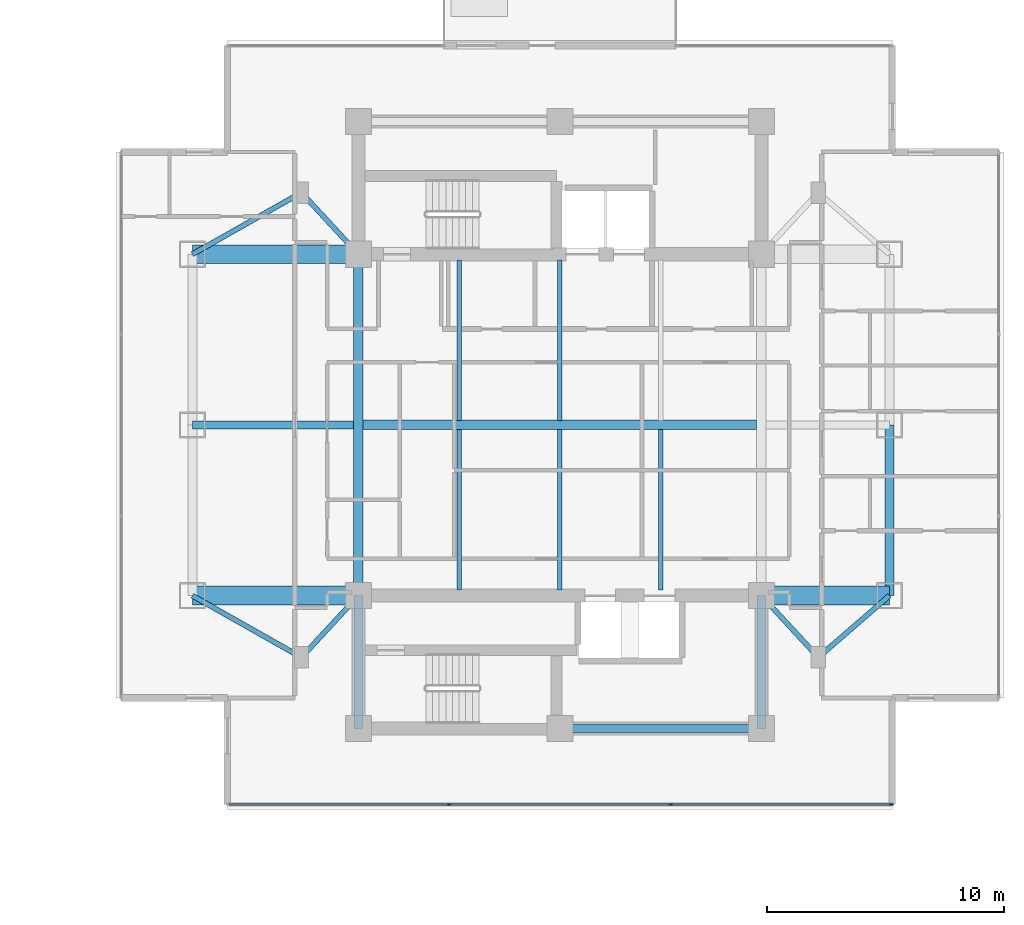
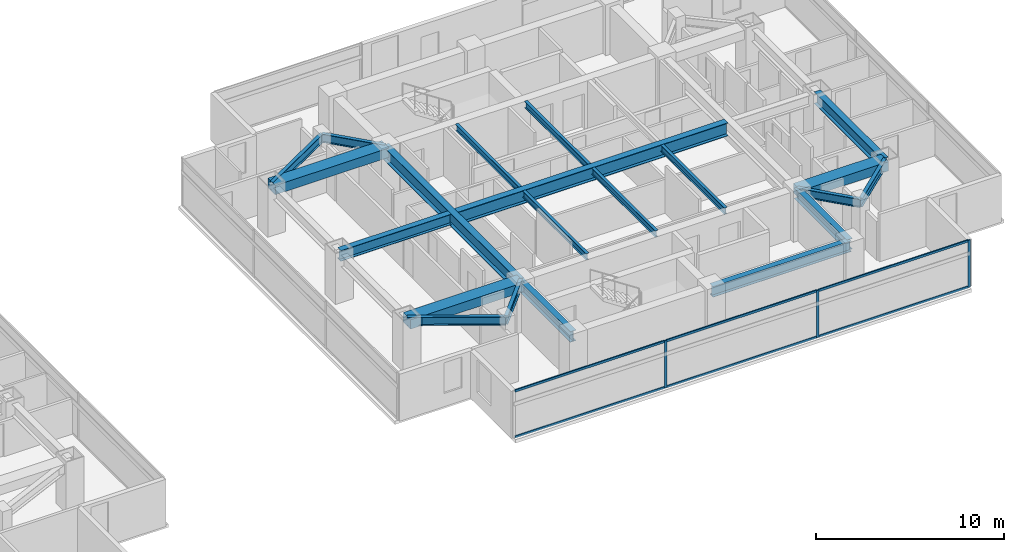
# One storey, part 9 of 24: 21 beams, 9 members, 1 element without a shape of its own.
"""IFC4 building model written with IfcOpenShell, lengths in metres."""

from ifc_helpers import new_model, si_unit, direction, frame, origin, origin_2d, place, context, subcontext, project, spatial, rectangle, i_section, extrude, material, material_profile, profile_set, type_object, element, aggregate, save


model = new_model("IFC4")

# Units and contexts
model_context = context("Model", 3, precision=1e-05, world=origin(), true_north=direction((0.0, 1.0)))
body_context = subcontext(model_context, "Body", "Model", "MODEL_VIEW")
ifc_project = project(units=[si_unit("LENGTHUNIT", "METRE"), si_unit("AREAUNIT", "SQUARE_METRE"), si_unit("VOLUMEUNIT", "CUBIC_METRE"), si_unit("PLANEANGLEUNIT", "RADIAN"), si_unit("MASSUNIT", "GRAM", prefix="KILO")], contexts=[model_context])

# Site, building, storey
site_placement = place(None, origin())
site = spatial("IfcSite", under=ifc_project, at=site_placement, CompositionType="ELEMENT")
building_placement = place(site_placement, origin())
building = spatial("IfcBuilding", under=site, at=building_placement, Name="Mirazonda Arch Towers", CompositionType="ELEMENT")
storey_placement = place(building_placement, frame((0.0, 0.0, 141.199951171875)))
storey = spatial("IfcBuildingStorey", under=building, at=storey_placement, Name="L40", CompositionType="ELEMENT", Elevation=141.199951171875)

# Beams
ifc_material_1 = material(Name="Steel ASTM A992 Grade 50", Category="steel")
ifc_material_profile_1 = material_profile(ifc_material_1, i_section(OverallWidth=0.381103515625, OverallDepth=0.77294921875, WebThickness=0.0166015625, FlangeThickness=0.027099609375, at=origin_2d()), Name="W30X173")
ifc_profile_set_1 = profile_set([ifc_material_profile_1], Name="Steel ASTM A992 Grade 50")
beam_type_1 = type_object("IfcBeamType", Name="BM-EXT-W30X173", PredefinedType="USERDEFINED", material=ifc_profile_set_1)
beam_1_placement = place(storey_placement, frame((90.39990234375, 20.800048828125, 2.693603515625), z_axis=(0.0, 1.0, 0.0), x_axis=(-1.0, 0.0, 0.0)))
element("IfcBeam", 1, at=beam_1_placement, inside=storey, type_object=beam_type_1, Name="L40 Floor Beam BM-T2-L40-NS-E-20", ObjectType="GIRDER", PredefinedType="USERDEFINED", context=body_context, shape_type="SweptSolid", body=[
    extrude(i_section(OverallWidth=0.381103515625, OverallDepth=0.77294921875, WebThickness=0.0166015625, FlangeThickness=0.027099609375, at=origin_2d()), origin(), (0.0, 0.0, 1.0), 7.199951171875),
])
ifc_material_profile_2 = material_profile(ifc_material_1, i_section(OverallWidth=0.180908203125, OverallDepth=0.4169921875, WebThickness=0.010986328125, FlangeThickness=0.018310546875, at=origin_2d()), Name="W16X57")
ifc_profile_set_2 = profile_set([ifc_material_profile_2], Name="Steel ASTM A992 Grade 50")
beam_type_2 = type_object("IfcBeamType", Name="BM-INT-W16X57", PredefinedType="JOIST", material=ifc_profile_set_2)
for number, where, z_axis, x_axis, name in (
    (2, (72.25, 21.0400390625, 2.87158203125), (0.0, 1.0, 0.0), (-1.0, 0.0, 0.0), "L40 Floor Beam BM-T2-L40-J-722-20"),
    (3, (72.25, 28.196044921875, 2.87158203125), (0.0, 1.0, 0.0), (-1.0, 0.0, 0.0), "L40 Floor Beam BM-T2-L40-J-722-28"),
    (4, (76.5, 21.0400390625, 2.87158203125), (0.0, 1.0, 0.0), (-1.0, 0.0, 0.0), "L40 Floor Beam BM-T2-L40-J-765-20"),
    (5, (76.5, 28.196044921875, 2.87158203125), (0.0, 1.0, 0.0), (-1.0, 0.0, 0.0), "L40 Floor Beam BM-T2-L40-J-765-28"),
    (6, (80.75, 21.0400390625, 2.87158203125), (0.0, 1.0, 0.0), (-1.0, 0.0, 0.0), "L40 Floor Beam BM-T2-L40-J-807-20"),
):
    element("IfcBeam", number, at=place(storey_placement, frame(where, z_axis=z_axis, x_axis=x_axis)), inside=storey, type_object=beam_type_2, Name=name, PredefinedType="JOIST", context=body_context, shape_type="SweptSolid", body=[
        extrude(i_section(OverallWidth=0.180908203125, OverallDepth=0.4169921875, WebThickness=0.010986328125, FlangeThickness=0.018310546875, at=origin_2d()), origin(), (0.0, 0.0, 1.0), 6.763916015625),
    ])
ifc_material_profile_3 = material_profile(ifc_material_1, i_section(OverallWidth=0.214111328125, OverallDepth=0.549072265625, WebThickness=0.0146484375, FlangeThickness=0.023681640625, at=origin_2d()), Name="W21X93")
ifc_profile_set_3 = profile_set([ifc_material_profile_3], Name="Steel ASTM A992 Grade 50")
beam_type_3 = type_object("IfcBeamType", Name="BM-INT-W21X93", PredefinedType="BEAM", material=ifc_profile_set_3)
beam_2_placement = place(storey_placement, frame((65.60009765625, 18.199951171875, 2.8056640625), z_axis=(0.678251444854, 0.734829897019, 0.0), x_axis=(-0.734829897019, 0.678251444854, 0.0)))
element("IfcBeam", 7, at=beam_2_placement, inside=storey, type_object=beam_type_3, Name="L40 Floor Beam BM-T2-L40-PL-SW1", PredefinedType="BEAM", context=body_context, shape_type="SweptSolid", body=[
    extrude(i_section(OverallWidth=0.214111328125, OverallDepth=0.549072265625, WebThickness=0.0146484375, FlangeThickness=0.023681640625, at=origin_2d()), origin(), (0.0, 0.0, 1.0), 3.538330078125),
])
beam_3_placement = place(storey_placement, frame((65.60009765625, 18.199951171875, 2.8056640625), z_axis=(-0.870559396632, 0.492063346467, 0.0), x_axis=(-0.492063346467, -0.870559396632, 0.0)))
element("IfcBeam", 8, at=beam_3_placement, inside=storey, type_object=beam_type_3, Name="L40 Floor Beam BM-T2-L40-PL-SW2", PredefinedType="BEAM", context=body_context, shape_type="SweptSolid", body=[
    extrude(i_section(OverallWidth=0.214111328125, OverallDepth=0.549072265625, WebThickness=0.0146484375, FlangeThickness=0.023681640625, at=origin_2d()), origin(), (0.0, 0.0, 1.0), 5.2841796875),
])
beam_4_placement = place(storey_placement, frame((87.39990234375, 18.199951171875, 2.8056640625), z_axis=(-0.678251444854, 0.734829897019, 0.0), x_axis=(-0.734829897019, -0.678251444854, 0.0)))
element("IfcBeam", 9, at=beam_4_placement, inside=storey, type_object=beam_type_3, Name="L40 Floor Beam BM-T2-L40-PL-SE1", PredefinedType="BEAM", context=body_context, shape_type="SweptSolid", body=[
    extrude(i_section(OverallWidth=0.214111328125, OverallDepth=0.549072265625, WebThickness=0.0146484375, FlangeThickness=0.023681640625, at=origin_2d()), origin(), (0.0, 0.0, 1.0), 3.538330078125),
])
beam_5_placement = place(storey_placement, frame((87.39990234375, 18.199951171875, 2.8056640625), z_axis=(0.755676908098, 0.654944585876, 0.0), x_axis=(-0.654944585876, 0.755676908098, 0.0)))
element("IfcBeam", 10, at=beam_5_placement, inside=storey, type_object=beam_type_3, Name="L40 Floor Beam BM-T2-L40-PL-SE2", PredefinedType="BEAM", context=body_context, shape_type="SweptSolid", body=[
    extrude(i_section(OverallWidth=0.214111328125, OverallDepth=0.549072265625, WebThickness=0.0146484375, FlangeThickness=0.023681640625, at=origin_2d()), origin(), (0.0, 0.0, 1.0), 3.969970703125),
])
beam_6_placement = place(storey_placement, frame((65.60009765625, 37.800048828125, 2.8056640625), z_axis=(0.678251444854, -0.734829897019, 0.0), x_axis=(0.734829897019, 0.678251444854, 0.0)))
element("IfcBeam", 11, at=beam_6_placement, inside=storey, type_object=beam_type_3, Name="L40 Floor Beam BM-T2-L40-PL-NW1", PredefinedType="BEAM", context=body_context, shape_type="SweptSolid", body=[
    extrude(i_section(OverallWidth=0.214111328125, OverallDepth=0.549072265625, WebThickness=0.0146484375, FlangeThickness=0.023681640625, at=origin_2d()), origin(), (0.0, 0.0, 1.0), 3.538330078125),
])
beam_7_placement = place(storey_placement, frame((65.60009765625, 37.800048828125, 2.8056640625), z_axis=(-0.870559396632, -0.492063346467, 0.0), x_axis=(0.492063346467, -0.870559396632, 0.0)))
element("IfcBeam", 12, at=beam_7_placement, inside=storey, type_object=beam_type_3, Name="L40 Floor Beam BM-T2-L40-PL-NW2", PredefinedType="BEAM", context=body_context, shape_type="SweptSolid", body=[
    extrude(i_section(OverallWidth=0.214111328125, OverallDepth=0.549072265625, WebThickness=0.0146484375, FlangeThickness=0.023681640625, at=origin_2d()), origin(), (0.0, 0.0, 1.0), 5.2841796875),
])
ifc_material_profile_4 = material_profile(ifc_material_1, i_section(OverallWidth=0.35498046875, OverallDepth=0.696044921875, WebThickness=0.015380859375, FlangeThickness=0.02490234375, at=origin_2d()), Name="W27X146")
ifc_profile_set_4 = profile_set([ifc_material_profile_4], Name="Steel ASTM A992 Grade 50")
beam_type_4 = type_object("IfcBeamType", Name="BM-INT-W27X146", PredefinedType="BEAM", material=ifc_profile_set_4)
beam_8_placement = place(storey_placement, frame((76.5, 15.199951171875, 2.73193359375), z_axis=(1.0, 0.0, 0.0), x_axis=(0.0, 1.0, 0.0)))
element("IfcBeam", 13, at=beam_8_placement, inside=storey, type_object=beam_type_4, Name="L40 Floor Beam BM-T2-L40-CS2", PredefinedType="BEAM", context=body_context, shape_type="SweptSolid", body=[
    extrude(i_section(OverallWidth=0.35498046875, OverallDepth=0.696044921875, WebThickness=0.015380859375, FlangeThickness=0.02490234375, at=origin_2d()), origin(), (0.0, 0.0, 1.0), 8.5),
])
for number, where, z_axis, x_axis, name in (
    (14, (68.0, 15.199951171875, 2.73193359375), (0.0, 1.0, 0.0), (-1.0, 0.0, 0.0), "L40 Floor Beam BM-T2-L40-CSW"),
    (15, (85.0, 15.199951171875, 2.73193359375), (0.0, 1.0, 0.0), (-1.0, 0.0, 0.0), "L40 Floor Beam BM-T2-L40-CSE"),
):
    element("IfcBeam", number, at=place(storey_placement, frame(where, z_axis=z_axis, x_axis=x_axis)), inside=storey, type_object=beam_type_4, Name=name, PredefinedType="BEAM", context=body_context, shape_type="SweptSolid", body=[
        extrude(i_section(OverallWidth=0.35498046875, OverallDepth=0.696044921875, WebThickness=0.015380859375, FlangeThickness=0.02490234375, at=origin_2d()), origin(), (0.0, 0.0, 1.0), 5.60009765625),
    ])
beam_9_placement = place(storey_placement, frame((61.0, 28.0, 2.73193359375), z_axis=(1.0, 0.0, 0.0), x_axis=(0.0, 1.0, 0.0)))
element("IfcBeam", 16, at=beam_9_placement, inside=storey, type_object=beam_type_4, Name="L40 Floor Beam BM-T2-L40-GW2", PredefinedType="BEAM", context=body_context, shape_type="SweptSolid", body=[
    extrude(i_section(OverallWidth=0.35498046875, OverallDepth=0.696044921875, WebThickness=0.015380859375, FlangeThickness=0.02490234375, at=origin_2d()), origin(), (0.0, 0.0, 1.0), 6.800048828125),
])
ifc_material_profile_5 = material_profile(ifc_material_1, i_section(OverallWidth=0.39990234375, OverallDepth=0.85595703125, WebThickness=0.018310546875, FlangeThickness=0.029296875, at=origin_2d()), Name="W33X201")
ifc_profile_set_5 = profile_set([ifc_material_profile_5], Name="Steel ASTM A992 Grade 50")
beam_type_5 = type_object("IfcBeamType", Name="BM-INT-W33X201", PredefinedType="USERDEFINED", material=ifc_profile_set_5)
beam_10_placement = place(storey_placement, frame((68.199951171875, 28.0, 2.652099609375), z_axis=(1.0, 0.0, 0.0), x_axis=(0.0, 1.0, 0.0)))
element("IfcBeam", 17, at=beam_10_placement, inside=storey, type_object=beam_type_5, Name="L40 Floor Beam BM-T2-L40-GC2", ObjectType="GIRDER", PredefinedType="USERDEFINED", context=body_context, shape_type="SweptSolid", body=[
    extrude(i_section(OverallWidth=0.39990234375, OverallDepth=0.85595703125, WebThickness=0.018310546875, FlangeThickness=0.029296875, at=origin_2d()), origin(), (0.0, 0.0, 1.0), 16.60009765625),
])
beam_11_placement = place(storey_placement, frame((68.0, 20.800048828125, 2.652099609375), z_axis=(0.0, 1.0, 0.0), x_axis=(-1.0, 0.0, 0.0)))
element("IfcBeam", 18, at=beam_11_placement, inside=storey, type_object=beam_type_5, Name="L40 Floor Beam BM-T2-L40-NS-CW-FULL", ObjectType="GIRDER", PredefinedType="USERDEFINED", context=body_context, shape_type="SweptSolid", body=[
    extrude(i_section(OverallWidth=0.39990234375, OverallDepth=0.85595703125, WebThickness=0.018310546875, FlangeThickness=0.029296875, at=origin_2d()), origin(), (0.0, 0.0, 1.0), 14.39990234375),
])
ifc_material_2 = material(Name="Concrete C60/75", Category="concrete")
ifc_material_profile_6 = material_profile(ifc_material_2, rectangle(XDim=0.800048828125, YDim=0.60009765625, at=origin_2d()), Name="RCCB800x600")
ifc_profile_set_6 = profile_set([ifc_material_profile_6], Name="Concrete C60/75")
beam_type_6 = type_object("IfcBeamType", Name="CB-INT-RCCB800x600", PredefinedType="SPANDREL", material=ifc_profile_set_6)
for number, where, z_axis, x_axis, name in (
    (19, (61.0, 35.199951171875, 2.780029296875), (1.0, 0.0, 0.0), (0.0, 1.0, 0.0), "L40 Floor Beam CBC-T2-L40-NW"),
    (20, (61.0, 20.800048828125, 2.780029296875), (1.0, 0.0, 0.0), (0.0, 1.0, 0.0), "L40 Floor Beam CBC-T2-L40-SW"),
):
    element("IfcBeam", number, at=place(storey_placement, frame(where, z_axis=z_axis, x_axis=x_axis)), inside=storey, type_object=beam_type_6, Name=name, PredefinedType="SPANDREL", context=body_context, shape_type="SweptSolid", body=[
        extrude(rectangle(XDim=0.800048828125, YDim=0.60009765625, at=origin_2d()), origin(), (0.0, 0.0, 1.0), 7.0),
    ])
beam_12_placement = place(storey_placement, frame((85.0, 20.800048828125, 2.780029296875), z_axis=(1.0, 0.0, 0.0), x_axis=(0.0, 1.0, 0.0)))
element("IfcBeam", 21, at=beam_12_placement, inside=storey, type_object=beam_type_6, Name="L40 Floor Beam CBC-T2-L40-SE", PredefinedType="SPANDREL", context=body_context, shape_type="SweptSolid", body=[
    extrude(rectangle(XDim=0.800048828125, YDim=0.60009765625, at=origin_2d()), origin(), (0.0, 0.0, 1.0), 5.39990234375),
])

# Curtain wall, members
ifc_material_3 = material(Name="Anodised Aluminium and Low-E Glass", Category="aluminium")
curtain_wall_type = type_object("IfcCurtainWallType", Name="CW-HTL-UNIT", PredefinedType="NOTDEFINED", material=ifc_material_3)
curtain_wall_placement = place(storey_placement, origin())
curtain_wall = element("IfcCurtainWall", 22, at=curtain_wall_placement, inside=storey, type_object=curtain_wall_type, Name="L40 T2 S Facade CW-L40-T2-S", PredefinedType="NOTDEFINED")
ifc_material_4 = material(Name="Anodised Aluminium Alloy", Category="aluminium")
ifc_material_profile_7 = material_profile(ifc_material_4, rectangle(XDim=0.074951171875, YDim=0.1650390625, at=origin_2d()), Name="ALU-MULL-75x165")
ifc_profile_set_7 = profile_set([ifc_material_profile_7], Name="Anodised Aluminium Alloy")
member_type_1 = type_object("IfcMemberType", Name="MULL-CW-HTL-UNIT", PredefinedType="MULLION", material=ifc_profile_set_7)
member_1_placement = place(storey_placement, frame((90.487060546875, 11.997802734375, 0.0), z_axis=(0.0, 0.0, 1.0), x_axis=(0.0, -1.0, 0.0)))
member_1 = element("IfcMember", 23, at=member_1_placement, type_object=member_type_1, Name="CW-112 mullion 1", PredefinedType="MULLION", context=body_context, shape_type="SweptSolid", body=[
    extrude(rectangle(XDim=0.074951171875, YDim=0.1650390625, at=origin_2d()), origin(), (0.0, 0.0, 1.0), 3.06005859375),
])
member_2_placement = place(storey_placement, frame((81.1748046875, 11.997802734375, 0.0), z_axis=(0.0, 0.0, 1.0), x_axis=(0.0, -1.0, 0.0)))
member_2 = element("IfcMember", 24, at=member_2_placement, type_object=member_type_1, Name="CW-112 mullion 2", PredefinedType="MULLION", context=body_context, shape_type="SweptSolid", body=[
    extrude(rectangle(XDim=0.074951171875, YDim=0.1650390625, at=origin_2d()), origin(), (0.0, 0.0, 1.0), 3.06005859375),
])
member_3_placement = place(storey_placement, frame((71.8251953125, 11.997802734375, 0.0), z_axis=(0.0, 0.0, 1.0), x_axis=(0.0, -1.0, 0.0)))
member_3 = element("IfcMember", 25, at=member_3_placement, type_object=member_type_1, Name="CW-112 mullion 3", PredefinedType="MULLION", context=body_context, shape_type="SweptSolid", body=[
    extrude(rectangle(XDim=0.074951171875, YDim=0.1650390625, at=origin_2d()), origin(), (0.0, 0.0, 1.0), 3.06005859375),
])
ifc_material_profile_8 = material_profile(ifc_material_4, rectangle(XDim=0.074951171875, YDim=0.14501953125, at=origin_2d()), Name="ALU-TRAN-75x145")
ifc_profile_set_8 = profile_set([ifc_material_profile_8], Name="Anodised Aluminium Alloy")
member_type_2 = type_object("IfcMemberType", Name="TRAN-CW-HTL-UNIT", PredefinedType="USERDEFINED", material=ifc_profile_set_8)
member_4_placement = place(storey_placement, frame((90.449462890625, 11.997802734375, 0.03759765625), z_axis=(-1.0, 0.0, 0.0), x_axis=(0.0, -1.0, 0.0)))
member_4 = element("IfcMember", 26, at=member_4_placement, type_object=member_type_2, Name="CW-112 transom 1.1", ObjectType="TRANSOM", PredefinedType="USERDEFINED", context=body_context, shape_type="SweptSolid", body=[
    extrude(rectangle(XDim=0.074951171875, YDim=0.14501953125, at=origin_2d()), origin(), (0.0, 0.0, 1.0), 9.237060546875),
])
member_5_placement = place(storey_placement, frame((90.449462890625, 11.997802734375, 3.0224609375), z_axis=(-1.0, 0.0, 0.0), x_axis=(0.0, -1.0, 0.0)))
member_5 = element("IfcMember", 27, at=member_5_placement, type_object=member_type_2, Name="CW-112 transom 1.2", ObjectType="TRANSOM", PredefinedType="USERDEFINED", context=body_context, shape_type="SweptSolid", body=[
    extrude(rectangle(XDim=0.074951171875, YDim=0.14501953125, at=origin_2d()), origin(), (0.0, 0.0, 1.0), 9.237060546875),
])
member_6_placement = place(storey_placement, frame((81.137451171875, 11.997802734375, 0.03759765625), z_axis=(-1.0, 0.0, 0.0), x_axis=(0.0, -1.0, 0.0)))
member_6 = element("IfcMember", 28, at=member_6_placement, type_object=member_type_2, Name="CW-112 transom 2.1", ObjectType="TRANSOM", PredefinedType="USERDEFINED", context=body_context, shape_type="SweptSolid", body=[
    extrude(rectangle(XDim=0.074951171875, YDim=0.14501953125, at=origin_2d()), origin(), (0.0, 0.0, 1.0), 9.27490234375),
])
member_7_placement = place(storey_placement, frame((81.137451171875, 11.997802734375, 3.0224609375), z_axis=(-1.0, 0.0, 0.0), x_axis=(0.0, -1.0, 0.0)))
member_7 = element("IfcMember", 29, at=member_7_placement, type_object=member_type_2, Name="CW-112 transom 2.2", ObjectType="TRANSOM", PredefinedType="USERDEFINED", context=body_context, shape_type="SweptSolid", body=[
    extrude(rectangle(XDim=0.074951171875, YDim=0.14501953125, at=origin_2d()), origin(), (0.0, 0.0, 1.0), 9.27490234375),
])
member_8_placement = place(storey_placement, frame((71.78759765625, 11.997802734375, 0.03759765625), z_axis=(-1.0, 0.0, 0.0), x_axis=(0.0, -1.0, 0.0)))
member_8 = element("IfcMember", 30, at=member_8_placement, type_object=member_type_2, Name="CW-112 transom 3.1", ObjectType="TRANSOM", PredefinedType="USERDEFINED", context=body_context, shape_type="SweptSolid", body=[
    extrude(rectangle(XDim=0.074951171875, YDim=0.14501953125, at=origin_2d()), origin(), (0.0, 0.0, 1.0), 9.237060546875),
])
member_9_placement = place(storey_placement, frame((71.78759765625, 11.997802734375, 3.0224609375), z_axis=(-1.0, 0.0, 0.0), x_axis=(0.0, -1.0, 0.0)))
member_9 = element("IfcMember", 31, at=member_9_placement, type_object=member_type_2, Name="CW-112 transom 3.2", ObjectType="TRANSOM", PredefinedType="USERDEFINED", context=body_context, shape_type="SweptSolid", body=[
    extrude(rectangle(XDim=0.074951171875, YDim=0.14501953125, at=origin_2d()), origin(), (0.0, 0.0, 1.0), 9.237060546875),
])
aggregate(curtain_wall, [member_1, member_2, member_3, member_4, member_5, member_6, member_7, member_8, member_9])

save(model, "model.ifc")
